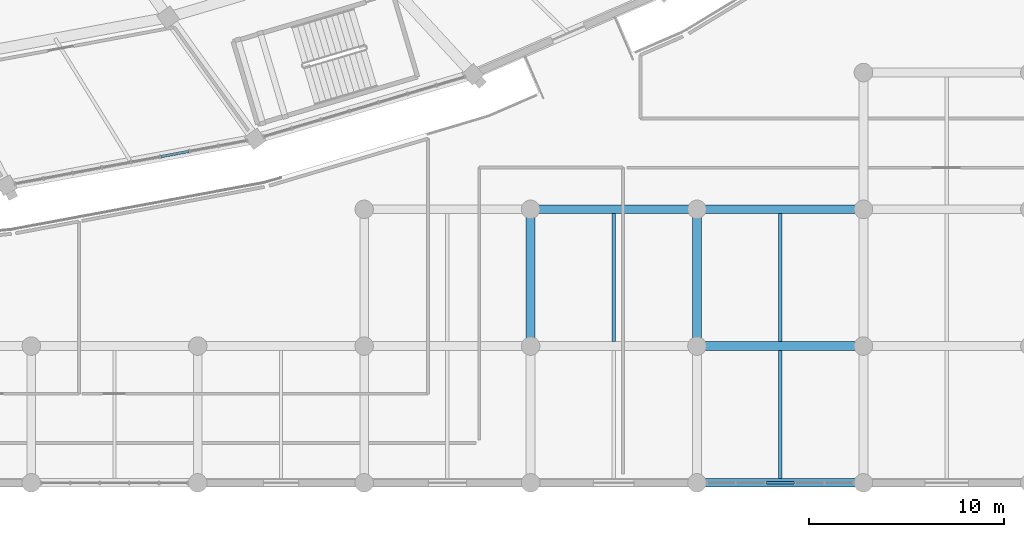
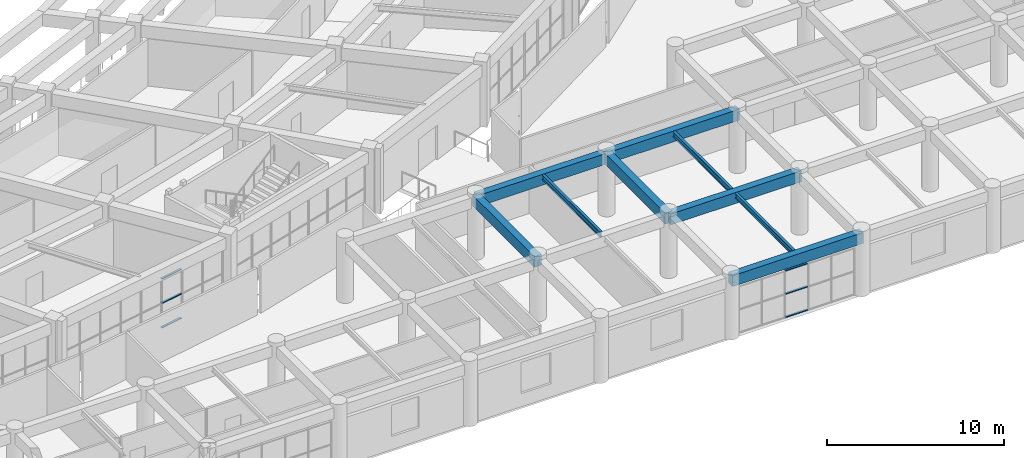
# One storey, part 37 of 145: 9 beams, 6 members, 2 elements without a shape of their own.
"""IFC4 building model written with IfcOpenShell, lengths in metres."""

from ifc_helpers import new_model, si_unit, direction, frame, origin, origin_2d, place, context, subcontext, project, spatial, rectangle, i_section, extrude, material, layer, layer_set, material_profile, profile_set, type_object, element, aggregate, save


model = new_model("IFC4")

# Units and contexts
model_context = context("Model", 3, precision=1e-05, world=origin(), true_north=direction((0.0, 1.0)))
body_context = subcontext(model_context, "Body", "Model", "MODEL_VIEW")
ifc_project = project(units=[si_unit("LENGTHUNIT", "METRE"), si_unit("AREAUNIT", "SQUARE_METRE"), si_unit("VOLUMEUNIT", "CUBIC_METRE"), si_unit("PLANEANGLEUNIT", "RADIAN"), si_unit("MASSUNIT", "GRAM", prefix="KILO")], contexts=[model_context])

# Site, building, storey
site_placement = place(None, origin())
site = spatial("IfcSite", under=ifc_project, at=site_placement, CompositionType="ELEMENT")
building_placement = place(site_placement, origin())
building = spatial("IfcBuilding", under=site, at=building_placement, Name="Mphavela Belvedere Stadium", CompositionType="ELEMENT")
storey_placement = place(building_placement, frame((0.0, 0.0, 10.199951171875)))
storey = spatial("IfcBuildingStorey", under=building, at=storey_placement, Name="L02", CompositionType="ELEMENT", Elevation=10.199951171875)

# Beams
ifc_material_1 = material(Name="Steel S355", Category="steel")
ifc_material_profile_1 = material_profile(ifc_material_1, i_section(OverallWidth=0.169921875, OverallDepth=0.360107421875, WebThickness=0.008056640625, FlangeThickness=0.0126953125, at=origin_2d()), Name="IPE 360")
ifc_profile_set_1 = profile_set([ifc_material_profile_1], Name="Steel S355")
beam_type_1 = type_object("IfcBeamType", Name="BM-JOIST-IPE360", PredefinedType="JOIST", material=ifc_profile_set_1)
for number, where, z_axis, x_axis, name in (
    (1, (183.14794921875, 7.22509765625, 4.06005859375), (0.0, 1.0, 0.0), (-1.0, 0.0, 0.0), "South Axial Triumphal Peristyle Portico secondary joist L02 22-2"),
    (2, (191.66650390625, 0.22509765625, 4.06005859375), (0.0, 1.0, 0.0), (-1.0, 0.0, 0.0), "South Axial Triumphal Peristyle Portico secondary joist L02 23-1"),
    (3, (191.66650390625, 7.22509765625, 4.06005859375), (0.0, 1.0, 0.0), (-1.0, 0.0, 0.0), "South Axial Triumphal Peristyle Portico secondary joist L02 23-2"),
):
    element("IfcBeam", number, at=place(storey_placement, frame(where, z_axis=z_axis, x_axis=x_axis)), inside=storey, type_object=beam_type_1, Name=name, PredefinedType="JOIST", context=body_context, shape_type="SweptSolid", body=[
        extrude(i_section(OverallWidth=0.169921875, OverallDepth=0.360107421875, WebThickness=0.008056640625, FlangeThickness=0.0126953125, at=origin_2d()), origin(), (0.0, 0.0, 1.0), 6.5498046875),
    ])
ifc_material_2 = material(Name="Concrete C40/50", Category="concrete")
ifc_material_profile_2 = material_profile(ifc_material_2, rectangle(XDim=0.449951171875, YDim=0.75, at=origin_2d()), Name="RC 450x750")
ifc_profile_set_2 = profile_set([ifc_material_profile_2], Name="Concrete C40/50")
beam_type_2 = type_object("IfcBeamType", Name="BM-RC450x750", PredefinedType="BEAM", material=ifc_profile_set_2)
beam_1_placement = place(storey_placement, frame((178.888916015625, 7.0, 3.864990234375), z_axis=(0.0, 1.0, 0.0), x_axis=(-1.0, 0.0, 0.0)))
element("IfcBeam", 4, at=beam_1_placement, inside=storey, type_object=beam_type_2, Name="South Axial Triumphal Peristyle Portico entablature beam Y L02 22-2", PredefinedType="BEAM", context=body_context, shape_type="SweptSolid", body=[
    extrude(rectangle(XDim=0.449951171875, YDim=0.75, at=origin_2d()), origin(), (0.0, 0.0, 1.0), 7.0),
])
beam_2_placement = place(storey_placement, frame((178.888916015625, 14.0, 3.864990234375), z_axis=(1.0, 0.0, 0.0), x_axis=(0.0, 1.0, 0.0)))
element("IfcBeam", 5, at=beam_2_placement, inside=storey, type_object=beam_type_2, Name="South Axial Triumphal Peristyle Portico entablature beam X L02 22-3", PredefinedType="BEAM", context=body_context, shape_type="SweptSolid", body=[
    extrude(rectangle(XDim=0.449951171875, YDim=0.75, at=origin_2d()), origin(), (0.0, 0.0, 1.0), 8.51806640625),
])
for number, where, z_axis, x_axis, name in (
    (6, (187.406982421875, 0.0, 3.864990234375), (1.0, 0.0, 0.0), (0.0, 1.0, 0.0), "South Axial Triumphal Peristyle Portico entablature beam X L02 23-1"),
    (7, (187.406982421875, 7.0, 3.864990234375), (1.0, 0.0, 0.0), (0.0, 1.0, 0.0), "South Axial Triumphal Peristyle Portico entablature beam X L02 23-2"),
):
    element("IfcBeam", number, at=place(storey_placement, frame(where, z_axis=z_axis, x_axis=x_axis)), inside=storey, type_object=beam_type_2, Name=name, PredefinedType="BEAM", context=body_context, shape_type="SweptSolid", body=[
        extrude(rectangle(XDim=0.449951171875, YDim=0.75, at=origin_2d()), origin(), (0.0, 0.0, 1.0), 8.51904296875),
    ])
beam_3_placement = place(storey_placement, frame((187.406982421875, 7.0, 3.864990234375), z_axis=(0.0, 1.0, 0.0), x_axis=(-1.0, 0.0, 0.0)))
element("IfcBeam", 8, at=beam_3_placement, inside=storey, type_object=beam_type_2, Name="South Axial Triumphal Peristyle Portico entablature beam Y L02 23-2", PredefinedType="BEAM", context=body_context, shape_type="SweptSolid", body=[
    extrude(rectangle(XDim=0.449951171875, YDim=0.75, at=origin_2d()), origin(), (0.0, 0.0, 1.0), 7.0),
])
beam_4_placement = place(storey_placement, frame((187.406982421875, 14.0, 3.864990234375), z_axis=(1.0, 0.0, 0.0), x_axis=(0.0, 1.0, 0.0)))
element("IfcBeam", 9, at=beam_4_placement, inside=storey, type_object=beam_type_2, Name="South Axial Triumphal Peristyle Portico entablature beam X L02 23-3", PredefinedType="BEAM", context=body_context, shape_type="SweptSolid", body=[
    extrude(rectangle(XDim=0.449951171875, YDim=0.75, at=origin_2d()), origin(), (0.0, 0.0, 1.0), 8.51904296875),
])

# Curtain wall, members
ifc_material_3 = material(Name="Anodised bronze unitised curtain wall framing")
ifc_layer_1 = layer(ifc_material_3, 0.205078125)
ifc_layer_set_1 = layer_set([ifc_layer_1], Name="Anodised bronze unitised curtain wall framing")
curtain_wall_type_1 = type_object("IfcCurtainWallType", Name="CW-UNIT-06", PredefinedType="USERDEFINED", material=ifc_layer_set_1)
curtain_wall_1_placement = place(storey_placement, origin())
curtain_wall_1 = element("IfcCurtainWall", 10, at=curtain_wall_1_placement, inside=storey, type_object=curtain_wall_type_1, Name="Belvedere colonnade curtain wall L02-39", ObjectType="UNITISED CURTAIN WALL", PredefinedType="USERDEFINED")
ifc_material_4 = material(Name="Anodised bronze extruded aluminium", Category="aluminium")
ifc_material_profile_3 = material_profile(ifc_material_4, rectangle(XDim=0.139892578125, YDim=0.06005859375, at=origin_2d()), Name="CW-TRN 140x60")
ifc_profile_set_3 = profile_set([ifc_material_profile_3], Name="Anodised bronze extruded aluminium")
member_type = type_object("IfcMemberType", Name="CWT-140x60", PredefinedType="USERDEFINED", material=ifc_profile_set_3)
member_1_placement = place(storey_placement, frame((159.962158203125, 16.701904296875, 0.030029296875), z_axis=(0.983108977499, 0.18302114184, 0.0), x_axis=(-0.18302114184, 0.983108977499, 0.0)))
member_1 = element("IfcMember", 11, at=member_1_placement, type_object=member_type, Name="CW-06 transom 6.1", ObjectType="TRANSOM", PredefinedType="USERDEFINED", context=body_context, shape_type="SweptSolid", body=[
    extrude(rectangle(XDim=0.139892578125, YDim=0.06005859375, at=origin_2d()), origin(), (0.0, 0.0, 1.0), 1.4541015625),
])
member_2_placement = place(storey_placement, frame((159.962158203125, 16.701904296875, 1.7099609375), z_axis=(0.983108977499, 0.18302114184, 0.0), x_axis=(-0.18302114184, 0.983108977499, 0.0)))
member_2 = element("IfcMember", 12, at=member_2_placement, type_object=member_type, Name="CW-06 transom 6.2", ObjectType="TRANSOM", PredefinedType="USERDEFINED", context=body_context, shape_type="SweptSolid", body=[
    extrude(rectangle(XDim=0.139892578125, YDim=0.06005859375, at=origin_2d()), origin(), (0.0, 0.0, 1.0), 1.4541015625),
])
member_3_placement = place(storey_placement, frame((159.962158203125, 16.701904296875, 3.39013671875), z_axis=(0.983108977499, 0.18302114184, 0.0), x_axis=(-0.18302114184, 0.983108977499, 0.0)))
member_3 = element("IfcMember", 13, at=member_3_placement, type_object=member_type, Name="CW-06 transom 6.3", ObjectType="TRANSOM", PredefinedType="USERDEFINED", context=body_context, shape_type="SweptSolid", body=[
    extrude(rectangle(XDim=0.139892578125, YDim=0.06005859375, at=origin_2d()), origin(), (0.0, 0.0, 1.0), 1.4541015625),
])
aggregate(curtain_wall_1, [member_1, member_2, member_3])

ifc_material_5 = material(Name="Anodised bronze unitised curtain wall framing")
ifc_layer_2 = layer(ifc_material_5, 0.195068359375)
ifc_layer_set_2 = layer_set([ifc_layer_2], Name="Anodised bronze unitised curtain wall framing")
curtain_wall_type_2 = type_object("IfcCurtainWallType", Name="CW-UNIT-04", PredefinedType="USERDEFINED", material=ifc_layer_set_2)
curtain_wall_2_placement = place(storey_placement, origin())
curtain_wall_2 = element("IfcCurtainWall", 14, at=curtain_wall_2_placement, inside=storey, type_object=curtain_wall_type_2, Name="South Axial Triumphal Peristyle Portico gallery curtain wall L02-23", ObjectType="UNITISED CURTAIN WALL", PredefinedType="USERDEFINED")
member_4_placement = place(storey_placement, frame((192.391357421875, 0.0, 0.030029296875), z_axis=(-1.0, 0.0, 0.0), x_axis=(0.0, -1.0, 0.0)))
member_4 = element("IfcMember", 15, at=member_4_placement, type_object=member_type, Name="CW-04 transom 3.1", ObjectType="TRANSOM", PredefinedType="USERDEFINED", context=body_context, shape_type="SweptSolid", body=[
    extrude(rectangle(XDim=0.139892578125, YDim=0.06005859375, at=origin_2d()), origin(), (0.0, 0.0, 1.0), 1.44970703125),
])
member_5_placement = place(storey_placement, frame((192.391357421875, 0.0, 1.630126953125), z_axis=(-1.0, 0.0, 0.0), x_axis=(0.0, -1.0, 0.0)))
member_5 = element("IfcMember", 16, at=member_5_placement, type_object=member_type, Name="CW-04 transom 3.2", ObjectType="TRANSOM", PredefinedType="USERDEFINED", context=body_context, shape_type="SweptSolid", body=[
    extrude(rectangle(XDim=0.139892578125, YDim=0.06005859375, at=origin_2d()), origin(), (0.0, 0.0, 1.0), 1.44970703125),
])
member_6_placement = place(storey_placement, frame((192.391357421875, 0.0, 3.22998046875), z_axis=(-1.0, 0.0, 0.0), x_axis=(0.0, -1.0, 0.0)))
member_6 = element("IfcMember", 17, at=member_6_placement, type_object=member_type, Name="CW-04 transom 3.3", ObjectType="TRANSOM", PredefinedType="USERDEFINED", context=body_context, shape_type="SweptSolid", body=[
    extrude(rectangle(XDim=0.139892578125, YDim=0.06005859375, at=origin_2d()), origin(), (0.0, 0.0, 1.0), 1.44970703125),
])
aggregate(curtain_wall_2, [member_4, member_5, member_6])

save(model, "model.ifc")
